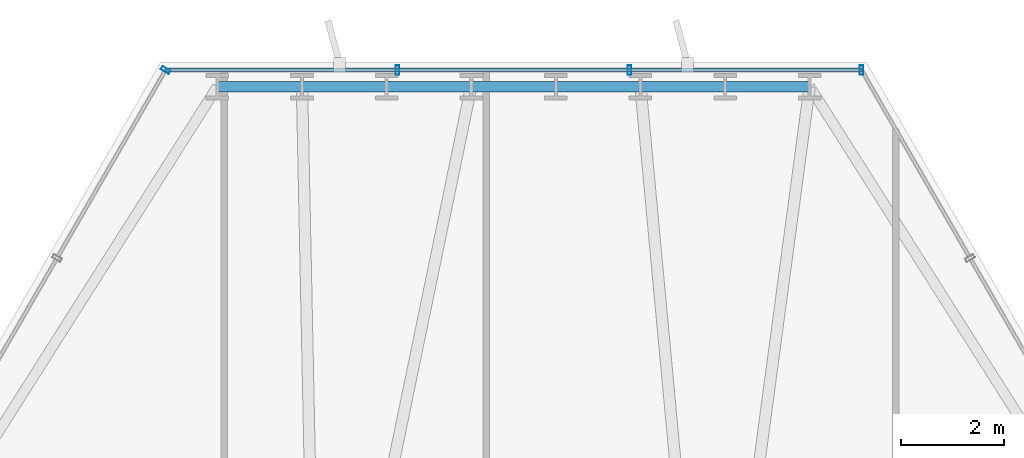
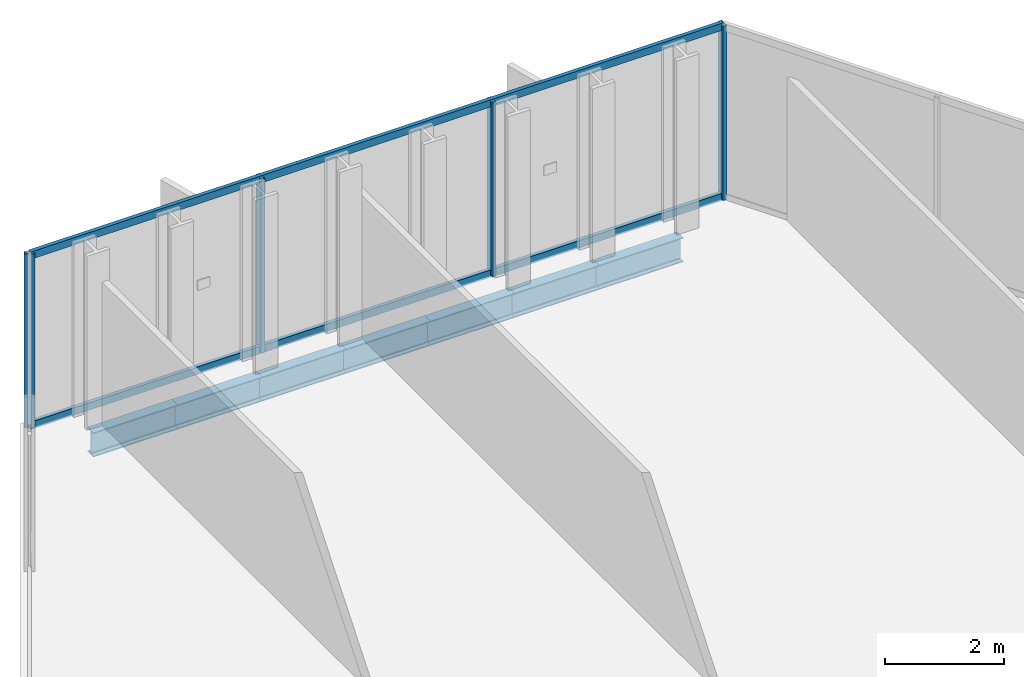
# One storey, part 22 of 31: 7 beams, 6 members, 2 elements without a shape of their own.
"""IFC4 building model written with IfcOpenShell, lengths in metres."""

from ifc_helpers import new_model, si_unit, direction, frame, origin, origin_2d, place, context, subcontext, project, spatial, hollow_rectangle, i_section, extrude, material, layer, layer_set, material_profile, profile_set, type_object, element, aggregate, save


model = new_model("IFC4")

# Units and contexts
model_context = context("Model", 3, precision=1e-05, world=origin(), true_north=direction((0.0, 1.0)))
body_context = subcontext(model_context, "Body", "Model", "MODEL_VIEW")
ifc_project = project(units=[si_unit("LENGTHUNIT", "METRE"), si_unit("AREAUNIT", "SQUARE_METRE"), si_unit("VOLUMEUNIT", "CUBIC_METRE"), si_unit("PLANEANGLEUNIT", "RADIAN"), si_unit("MASSUNIT", "GRAM", prefix="KILO")], contexts=[model_context])

# Site, building, storey
site_placement = place(None, origin())
site = spatial("IfcSite", under=ifc_project, at=site_placement, CompositionType="ELEMENT")
building_placement = place(site_placement, origin())
building = spatial("IfcBuilding", under=site, at=building_placement, Name="Ndaravel Arena Tower", CompositionType="ELEMENT")
storey_placement = place(building_placement, frame((0.0, 0.0, 104.39990234375)))
storey = spatial("IfcBuildingStorey", under=building, at=storey_placement, Name="L24", CompositionType="ELEMENT", Elevation=104.39990234375)

# Beams
ifc_material_1 = material(Name="Steel S355", Category="steel")
ifc_material_profile_1 = material_profile(ifc_material_1, i_section(OverallWidth=0.199951171875, OverallDepth=0.5, WebThickness=0.01025390625, FlangeThickness=0.01611328125, FilletRadius=0.02099609375, at=origin_2d()), Name="IPE 500")
ifc_profile_set_1 = profile_set([ifc_material_profile_1], Name="Steel S355")
beam_type = type_object("IfcBeamType", Name="BM-SPAN-IPE500", PredefinedType="SPANDREL", material=ifc_profile_set_1)
for number, where, z_axis, x_axis, name in (
    (1, (47.7353515625, 45.642578125, -0.469970703125), (-1.0, 0.0, 0.0), (0.0, -1.0, 0.0), "L24 Perimeter Spandrel Beam SP-11"),
    (2, (46.0966796875, 45.642578125, -0.469970703125), (-1.0, 0.0, 0.0), (0.0, -1.0, 0.0), "L24 Perimeter Spandrel Beam SP-12"),
    (3, (44.4580078125, 45.642578125, -0.469970703125), (-1.0, 0.0, 0.0), (0.0, -1.0, 0.0), "L24 Perimeter Spandrel Beam SP-13"),
    (4, (42.8193359375, 45.642578125, -0.469970703125), (-1.0, 0.0, 0.0), (0.0, -1.0, 0.0), "L24 Perimeter Spandrel Beam SP-14"),
    (5, (41.1806640625, 45.642578125, -0.469970703125), (-1.0, 0.0, 0.0), (0.0, -1.0, 0.0), "L24 Perimeter Spandrel Beam SP-15"),
    (6, (39.5419921875, 45.642578125, -0.469970703125), (-1.0, 0.0, 0.0), (0.0, -1.0, 0.0), "L24 Perimeter Spandrel Beam SP-16"),
    (7, (37.9033203125, 45.642578125, -0.469970703125), (-1.0, 0.0, 0.0), (0.0, -1.0, 0.0), "L24 Perimeter Spandrel Beam SP-17"),
):
    element("IfcBeam", number, at=place(storey_placement, frame(where, z_axis=z_axis, x_axis=x_axis)), inside=storey, type_object=beam_type, Name=name, PredefinedType="SPANDREL", context=body_context, shape_type="SweptSolid", body=[
        extrude(i_section(OverallWidth=0.199951171875, OverallDepth=0.5, WebThickness=0.01025390625, FlangeThickness=0.01611328125, FilletRadius=0.02099609375, at=origin_2d()), origin(), (0.0, 0.0, 1.0), 1.638671875),
    ])

# Curtain wall, members
ifc_material_2 = material(Name="Aluminium", Category="aluminium")
ifc_layer_1 = layer(ifc_material_2, 0.179931640625)
ifc_layer_set_1 = layer_set([ifc_layer_1], Name="Aluminium")
curtain_wall_type_1 = type_object("IfcCurtainWallType", Name="CW-SYS-01", PredefinedType="NOTDEFINED", material=ifc_layer_set_1)
curtain_wall_1_placement = place(storey_placement, origin())
curtain_wall_1 = element("IfcCurtainWall", 8, at=curtain_wall_1_placement, inside=storey, type_object=curtain_wall_type_1, Name="L24 Faceted Crystal Curtain Wall CW-L24-E04", PredefinedType="NOTDEFINED")
ifc_material_3 = material(Name="Aluminium", Category="aluminium")
ifc_material_profile_2 = material_profile(ifc_material_3, hollow_rectangle(XDim=0.074951171875, YDim=0.179931640625, WallThickness=0.00390625, at=origin_2d()), Name="CW MULLION 75x180x4")
ifc_profile_set_2 = profile_set([ifc_material_profile_2], Name="Aluminium")
member_type_1 = type_object("IfcMemberType", Name="MEM-CW-MUL180", PredefinedType="MULLION", material=ifc_profile_set_2)
member_1_placement = place(storey_placement, frame((48.7392578125, 45.962646484375, 0.0), z_axis=(0.0, 0.0, 1.0), x_axis=(-1.0, 0.0, 0.0)))
member_1 = element("IfcMember", 9, at=member_1_placement, type_object=member_type_1, Name="CW-L24-E04 Mullion 00", PredefinedType="MULLION", context=body_context, shape_type="SweptSolid", body=[
    extrude(hollow_rectangle(XDim=0.074951171875, YDim=0.179931640625, WallThickness=0.00390625, at=origin_2d()), origin(), (0.0, 0.0, 1.0), 3.580078125),
])
member_2_placement = place(storey_placement, frame((44.246337890625, 45.962646484375, 0.0), z_axis=(0.0, 0.0, 1.0), x_axis=(-1.0, 0.0, 0.0)))
member_2 = element("IfcMember", 10, at=member_2_placement, type_object=member_type_1, Name="CW-L24-E04 Mullion 01", PredefinedType="MULLION", context=body_context, shape_type="SweptSolid", body=[
    extrude(hollow_rectangle(XDim=0.074951171875, YDim=0.179931640625, WallThickness=0.00390625, at=origin_2d()), origin(), (0.0, 0.0, 1.0), 3.580078125),
])
member_3_placement = place(storey_placement, frame((39.753662109375, 45.962646484375, 0.0), z_axis=(0.0, 0.0, 1.0), x_axis=(-1.0, 0.0, 0.0)))
member_3 = element("IfcMember", 11, at=member_3_placement, type_object=member_type_1, Name="CW-L24-E04 Mullion 02", PredefinedType="MULLION", context=body_context, shape_type="SweptSolid", body=[
    extrude(hollow_rectangle(XDim=0.074951171875, YDim=0.179931640625, WallThickness=0.00390625, at=origin_2d()), origin(), (0.0, 0.0, 1.0), 3.580078125),
])

# Curtain wall, member
ifc_material_4 = material(Name="Aluminium", Category="aluminium")
ifc_layer_2 = layer(ifc_material_4, 0.179931640625)
ifc_layer_set_2 = layer_set([ifc_layer_2], Name="Aluminium")
curtain_wall_type_2 = type_object("IfcCurtainWallType", Name="CW-SYS-03", PredefinedType="NOTDEFINED", material=ifc_layer_set_2)
curtain_wall_2_placement = place(storey_placement, origin())
curtain_wall_2 = element("IfcCurtainWall", 12, at=curtain_wall_2_placement, inside=storey, type_object=curtain_wall_type_2, Name="L24 Faceted Crystal Curtain Wall CW-L24-E05", PredefinedType="NOTDEFINED")
member_4_placement = place(storey_placement, frame((35.2607421875, 45.962646484375, 0.0), z_axis=(0.0, 0.0, 1.0), x_axis=(-0.5, -0.866025403784, 0.0)))
member_4 = element("IfcMember", 13, at=member_4_placement, type_object=member_type_1, Name="CW-L24-E05 Mullion 00", PredefinedType="MULLION", context=body_context, shape_type="SweptSolid", body=[
    extrude(hollow_rectangle(XDim=0.074951171875, YDim=0.179931640625, WallThickness=0.00390625, at=origin_2d()), origin(), (0.0, 0.0, 1.0), 3.580078125),
])
aggregate(curtain_wall_2, [member_4])

# Member
ifc_material_5 = material(Name="Aluminium", Category="aluminium")
ifc_material_profile_3 = material_profile(ifc_material_5, hollow_rectangle(XDim=0.074951171875, YDim=0.14990234375, WallThickness=0.00390625, at=origin_2d()), Name="CW TRANSOM 75x150x4")
ifc_profile_set_3 = profile_set([ifc_material_profile_3], Name="Aluminium")
member_type_2 = type_object("IfcMemberType", Name="MEM-CW-TRN150", PredefinedType="USERDEFINED", material=ifc_profile_set_3)
member_5_placement = place(storey_placement, frame((48.7392578125, 45.962646484375, 0.0400390625), z_axis=(-1.0, 0.0, 0.0), x_axis=(0.0, -1.0, 0.0)))
member_5 = element("IfcMember", 14, at=member_5_placement, type_object=member_type_2, Name="CW-L24-E04 Transom 01", ObjectType="TRANSOM", PredefinedType="USERDEFINED", context=body_context, shape_type="SweptSolid", body=[
    extrude(hollow_rectangle(XDim=0.074951171875, YDim=0.14990234375, WallThickness=0.00390625, at=origin_2d()), origin(), (0.0, 0.0, 1.0), 13.478515625),
])

member_6_placement = place(storey_placement, frame((48.7392578125, 45.962646484375, 3.5400390625), z_axis=(-1.0, 0.0, 0.0), x_axis=(0.0, -1.0, 0.0)))
member_6 = element("IfcMember", 15, at=member_6_placement, type_object=member_type_2, Name="CW-L24-E04 Transom 02", ObjectType="TRANSOM", PredefinedType="USERDEFINED", context=body_context, shape_type="SweptSolid", body=[
    extrude(hollow_rectangle(XDim=0.074951171875, YDim=0.14990234375, WallThickness=0.00390625, at=origin_2d()), origin(), (0.0, 0.0, 1.0), 13.478515625),
])

aggregate(curtain_wall_1, [member_1, member_2, member_3, member_5, member_6])

save(model, "model.ifc")
